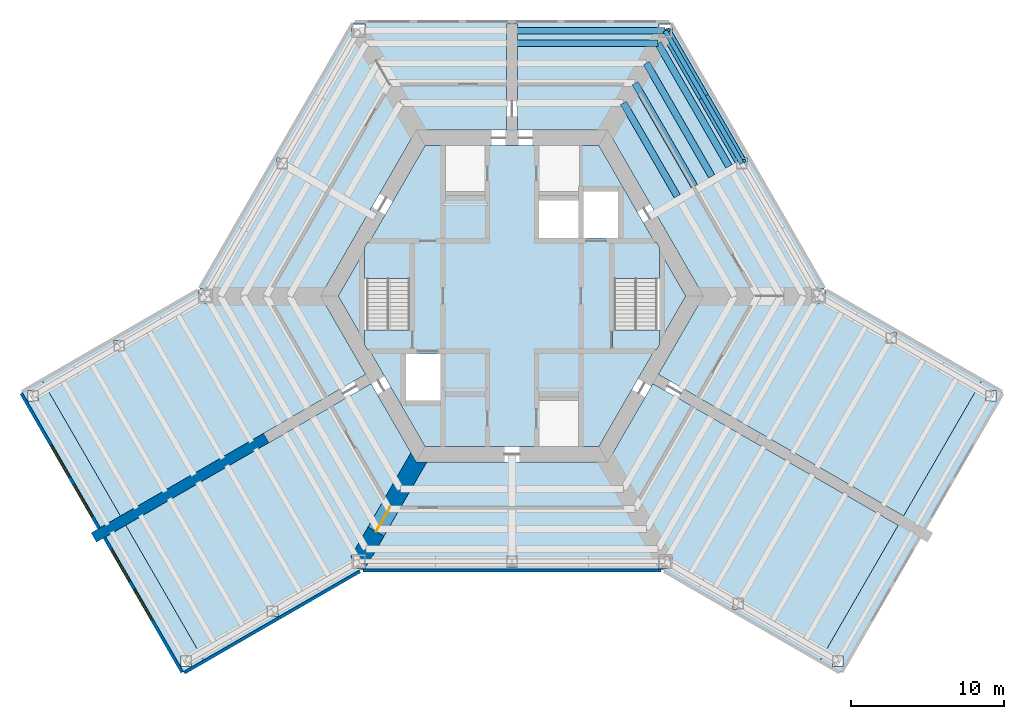
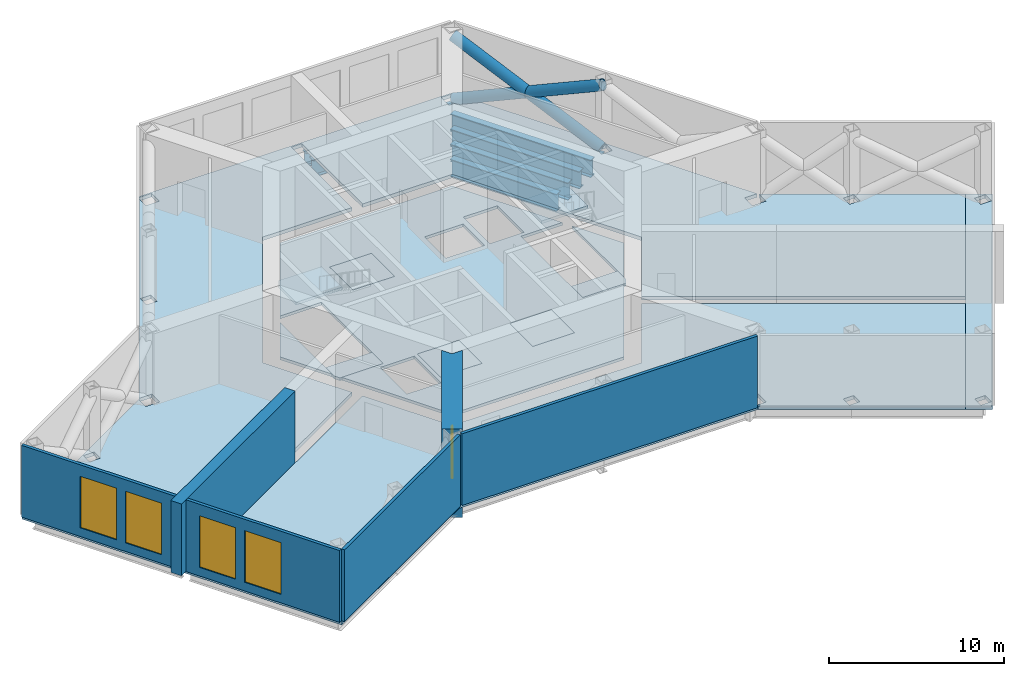
# One storey, part 3 of 8: 14 slabs, 7 beams, 6 walls, 4 windows, 2 members, 1 door, 5 openings, 2 elements without a shape of their own.
"""IFC4 building model written with IfcOpenShell, lengths in metres."""

from ifc_helpers import new_model, si_unit, direction, frame, frame_2d, origin, origin_2d, place, context, subcontext, project, spatial, polyline, rectangle, hollow_circle, i_section, outline, extrude, material, layer, layer_set, material_profile, profile_set, type_object, element, fill, aggregate, save


model = new_model("IFC4")

# Units and contexts
model_context = context("Model", 3, precision=1e-05, world=origin(), true_north=direction((0.0, 1.0)))
body_context = subcontext(model_context, "Body", "Model", "MODEL_VIEW")
ifc_project = project(units=[si_unit("LENGTHUNIT", "METRE"), si_unit("AREAUNIT", "SQUARE_METRE"), si_unit("VOLUMEUNIT", "CUBIC_METRE"), si_unit("PLANEANGLEUNIT", "RADIAN"), si_unit("MASSUNIT", "GRAM", prefix="KILO")], contexts=[model_context])

# Site, building, storey
site_placement = place(None, origin())
site = spatial("IfcSite", under=ifc_project, at=site_placement, CompositionType="ELEMENT")
building_placement = place(site_placement, origin())
building = spatial("IfcBuilding", under=site, at=building_placement, Name="Kasaneha Research Tower", CompositionType="ELEMENT")
storey_placement = place(building_placement, frame((0.0, 0.0, 203.300048828125)))
storey = spatial("IfcBuildingStorey", under=building, at=storey_placement, Name="L51", CompositionType="ELEMENT", Elevation=203.300048828125)

# Beams
ifc_material_1 = material(Name="Steel SN490B", Category="steel")
ifc_material_profile_1 = material_profile(ifc_material_1, i_section(OverallWidth=0.449951171875, OverallDepth=1.199951171875, WebThickness=0.02197265625, FlangeThickness=0.0400390625, at=origin_2d()), Name="BH-1200x450x22x40")
ifc_profile_set_1 = profile_set([ifc_material_profile_1], Name="Steel SN490B")
beam_type_1 = type_object("IfcBeamType", Name="B1-5 secondary beam BH-1200x450x22x40", PredefinedType="JOIST", material=ifc_profile_set_1)
beam_1_placement = place(storey_placement, frame((7.274658203125, 12.60009765625, -0.85009765625), z_axis=(0.499989208252, -0.866031634313, 0.0), x_axis=(0.866031634313, 0.499989208252, 0.0)))
element("IfcBeam", 1, at=beam_1_placement, inside=storey, type_object=beam_type_1, Name="Secondary beam RS030R1 L51", PredefinedType="JOIST", context=body_context, shape_type="SweptSolid", body=[
    extrude(i_section(OverallWidth=0.449951171875, OverallDepth=1.199951171875, WebThickness=0.02197265625, FlangeThickness=0.0400390625, at=origin_2d()), origin(), (0.0, 0.0, 1.0), 7.024658203125),
])
beam_2_placement = place(storey_placement, frame((8.025146484375, 13.89990234375, -0.85009765625), z_axis=(0.500016004, -0.866016163673, 0.0), x_axis=(0.866016163673, 0.500016004, 0.0)))
element("IfcBeam", 2, at=beam_2_placement, inside=storey, type_object=beam_type_1, Name="Secondary beam RS030R2 L51", PredefinedType="JOIST", context=body_context, shape_type="SweptSolid", body=[
    extrude(i_section(OverallWidth=0.449951171875, OverallDepth=1.199951171875, WebThickness=0.02197265625, FlangeThickness=0.0400390625, at=origin_2d()), origin(), (0.0, 0.0, 1.0), 7.775146484375),
])
beam_3_placement = place(storey_placement, frame((8.775634765625, 15.199951171875, -0.85009765625), z_axis=(0.500004205306, -0.866022975836, 0.0), x_axis=(0.866022975836, 0.500004205306, 0.0)))
element("IfcBeam", 3, at=beam_3_placement, inside=storey, type_object=beam_type_1, Name="Secondary beam RS030R3 L51", PredefinedType="JOIST", context=body_context, shape_type="SweptSolid", body=[
    extrude(i_section(OverallWidth=0.449951171875, OverallDepth=1.199951171875, WebThickness=0.02197265625, FlangeThickness=0.0400390625, at=origin_2d()), origin(), (0.0, 0.0, 1.0), 8.52587890625),
])
beam_4_placement = place(storey_placement, frame((9.5263671875, 16.5, -0.85009765625), z_axis=(0.499985972961, -0.866033502147, 0.0), x_axis=(0.866033502147, 0.499985972961, 0.0)))
element("IfcBeam", 4, at=beam_4_placement, inside=storey, type_object=beam_type_1, Name="Secondary beam RS030R4 L51", PredefinedType="JOIST", context=body_context, shape_type="SweptSolid", body=[
    extrude(i_section(OverallWidth=0.449951171875, OverallDepth=1.199951171875, WebThickness=0.02197265625, FlangeThickness=0.0400390625, at=origin_2d()), origin(), (0.0, 0.0, 1.0), 9.276123046875),
])
beam_5_placement = place(storey_placement, frame((9.5263671875, 16.5, -0.85009765625), z_axis=(-1.0, 0.0, 0.0), x_axis=(0.0, -1.0, 0.0)))
element("IfcBeam", 5, at=beam_5_placement, inside=storey, type_object=beam_type_1, Name="Secondary beam RS090L4 L51", PredefinedType="JOIST", context=body_context, shape_type="SweptSolid", body=[
    extrude(i_section(OverallWidth=0.449951171875, OverallDepth=1.199951171875, WebThickness=0.02197265625, FlangeThickness=0.0400390625, at=origin_2d()), origin(), (0.0, 0.0, 1.0), 9.2763671875),
])

# Members
ifc_material_2 = material(Name="Steel STKN490B", Category="steel")
ifc_material_profile_2 = material_profile(ifc_material_2, hollow_circle(Radius=0.355712890625, WallThickness=0.031982421875, at=origin_2d()), Name="CHS-711.2x32.0")
ifc_profile_set_2 = profile_set([ifc_material_profile_2], Name="Steel STKN490B")
member_type = type_object("IfcMemberType", Name="BT3 belt truss diagonal CHS-711.2x32.0", PredefinedType="BRACE", material=ifc_profile_set_2)
for number, where, z_axis, x_axis, name in (
    (6, (10.067138671875, 17.204345703125, 0.067138671875), (0.456047152237, -0.789897462228, 0.409979260576), (0.866025574794, 0.499999703803, 0.0), "Belt truss diagonal 5a L51"),
    (7, (14.932861328125, 8.7763671875, 0.067138671875), (-0.456047152237, 0.789897462228, 0.409979260576), (-0.866025574794, -0.499999703803, 0.0), "Belt truss diagonal 5b L51"),
):
    element("IfcMember", number, at=place(storey_placement, frame(where, z_axis=z_axis, x_axis=x_axis)), inside=storey, type_object=member_type, Name=name, PredefinedType="BRACE", context=body_context, shape_type="SweptSolid", body=[
        extrude(hollow_circle(Radius=0.355712890625, WallThickness=0.031982421875, at=origin_2d()), origin(), (0.0, 0.0, 1.0), 10.7529296875),
    ])

# Beams
ifc_material_3 = material(Name="Steel SN490B", Category="steel")
ifc_material_profile_3 = material_profile(ifc_material_3, i_section(OverallWidth=0.39990234375, OverallDepth=1.0, WebThickness=0.01904296875, FlangeThickness=0.035888671875, at=origin_2d()), Name="BH-1000x400x19x36")
ifc_profile_set_3 = profile_set([ifc_material_profile_3], Name="Steel SN490B")
beam_type_2 = type_object("IfcBeamType", Name="G3-5 plate edge girder BH-1000x400x19x36", PredefinedType="BEAM", material=ifc_profile_set_3)
beam_6_placement = place(storey_placement, frame((10.0, 17.320556640625, -0.75), z_axis=(-1.0, 0.0, 0.0), x_axis=(0.0, -1.0, 0.0)))
element("IfcBeam", 8, at=beam_6_placement, inside=storey, type_object=beam_type_2, Name="Plate edge girder PEAP L51", PredefinedType="BEAM", context=body_context, shape_type="SweptSolid", body=[
    extrude(i_section(OverallWidth=0.39990234375, OverallDepth=1.0, WebThickness=0.01904296875, FlangeThickness=0.035888671875, at=origin_2d()), origin(), (0.0, 0.0, 1.0), 9.75),
])
ifc_material_4 = material(Name="Steel SN490B", Category="steel")
ifc_material_profile_4 = material_profile(ifc_material_4, i_section(OverallWidth=0.300048828125, OverallDepth=0.800048828125, WebThickness=0.013916015625, FlangeThickness=0.02587890625, FilletRadius=0.01806640625, at=origin_2d()), Name="H-800x300x14x26")
ifc_profile_set_4 = profile_set([ifc_material_profile_4], Name="Steel SN490B")
beam_type_3 = type_object("IfcBeamType", Name="SB1-5 spandrel beam H-800x300x14x26", PredefinedType="SPANDREL", material=ifc_profile_set_4)
beam_7_placement = place(storey_placement, frame((10.0, 17.320556640625, -0.650146484375), z_axis=(0.499993662806, -0.866029062534, 0.0), x_axis=(0.866029062534, 0.499993662806, 0.0)))
element("IfcBeam", 9, at=beam_7_placement, inside=storey, type_object=beam_type_3, Name="Spandrel beam SR030R L51", PredefinedType="SPANDREL", context=body_context, shape_type="SweptSolid", body=[
    extrude(i_section(OverallWidth=0.300048828125, OverallDepth=0.800048828125, WebThickness=0.013916015625, FlangeThickness=0.02587890625, FilletRadius=0.01806640625, at=origin_2d()), origin(), (0.0, 0.0, 1.0), 10.000244140625),
])

# Slabs
ifc_material_5 = material(Name="Concrete Fc24", Category="concrete")
ifc_layer_1 = layer(ifc_material_5, 0.199951171875)
ifc_layer_set_1 = layer_set([ifc_layer_1], Name="Core floor slab 200")
slab_type_1 = type_object("IfcSlabType", Name="Core floor slab 200", PredefinedType="FLOOR", material=ifc_layer_set_1)
slab_1_placement = place(storey_placement, frame((0.0, 0.0, -0.199951171875)))
element("IfcSlab", 10, at=slab_1_placement, inside=storey, type_object=slab_type_1, Name="Core slab L51", PredefinedType="FLOOR", context=body_context, shape_type="SweptSolid", body=[
    extrude(outline(polyline([(-11.344970703125, 0.0), (-9.625, 2.97900390625), (-9.625, -2.97900390625), (-11.344970703125, 0.0)])), origin(), (0.0, 0.0, 1.0), 0.199951171875),
])
slab_2_placement = place(storey_placement, frame((0.0, 0.0, -0.199951171875)))
element("IfcSlab", 11, at=slab_2_placement, inside=storey, type_object=slab_type_1, Name="Core slab L51", PredefinedType="FLOOR", context=body_context, shape_type="SweptSolid", body=[
    extrude(outline(polyline([(-5.67236328125, 9.824951171875), (5.67236328125, 9.824951171875), (9.309814453125, 3.52490234375), (6.574951171875, 3.52490234375), (6.574951171875, -3.52490234375), (9.309814453125, -3.52490234375), (5.67236328125, -9.824951171875), (-5.67236328125, -9.824951171875), (-9.309814453125, -3.52490234375), (-6.574951171875, -3.52490234375), (-6.574951171875, 3.52490234375), (-9.309814453125, 3.52490234375), (-5.67236328125, 9.824951171875)]), holes=[polyline([(-6.925048828125, -3.77490234375), (-6.925048828125, -6.824951171875), (-4.675048828125, -6.824951171875), (-4.675048828125, -3.77490234375), (-6.925048828125, -3.77490234375)]), polyline([(-4.425048828125, -3.675048828125), (-4.425048828125, -6.324951171875), (-1.675048828125, -6.324951171875), (-1.675048828125, -3.675048828125), (-4.425048828125, -3.675048828125)]), polyline([(1.675048828125, -3.675048828125), (1.675048828125, -6.324951171875), (4.425048828125, -6.324951171875), (4.425048828125, -3.675048828125), (1.675048828125, -3.675048828125)]), polyline([(-4.425048828125, 6.324951171875), (-4.425048828125, 3.675048828125), (-1.675048828125, 3.675048828125), (-1.675048828125, 6.324951171875), (-4.425048828125, 6.324951171875)]), polyline([(1.77490234375, 6.22509765625), (1.77490234375, 3.77490234375), (4.324951171875, 3.77490234375), (4.324951171875, 6.22509765625), (1.77490234375, 6.22509765625)]), polyline([(4.675048828125, 6.824951171875), (4.675048828125, 3.77490234375), (6.925048828125, 3.77490234375), (6.925048828125, 6.824951171875), (4.675048828125, 6.824951171875)])]), origin(), (0.0, 0.0, 1.0), 0.199951171875),
])
slab_3_placement = place(storey_placement, frame((0.0, 0.0, -0.199951171875)))
element("IfcSlab", 12, at=slab_3_placement, inside=storey, type_object=slab_type_1, Name="Core slab L51", PredefinedType="FLOOR", context=body_context, shape_type="SweptSolid", body=[
    extrude(outline(polyline([(11.344970703125, 0.0), (9.625, -2.97900390625), (9.625, 2.97900390625), (11.344970703125, 0.0)])), origin(), (0.0, 0.0, 1.0), 0.199951171875),
])
ifc_material_6 = material(Name="Concrete Fc24", Category="concrete")
ifc_layer_2 = layer(ifc_material_6, 0.25)
ifc_layer_set_2 = layer_set([ifc_layer_2], Name="Floor slab 250")
slab_type_2 = type_object("IfcSlabType", Name="Floor slab 250", PredefinedType="FLOOR", material=ifc_layer_set_2)
slab_4_placement = place(storey_placement, frame((0.0, 0.0, -0.25)))
element("IfcSlab", 13, at=slab_4_placement, inside=storey, type_object=slab_type_2, Name="Floor slab L51 1", PredefinedType="FLOOR", context=body_context, shape_type="SweptSolid", body=[
    extrude(outline(polyline([(-25.55859375, -14.35205078125), (-25.5673828125, -14.357177734375), (-25.21728515625, -14.96337890625), (-25.208740234375, -14.958251953125), (-20.108642578125, -23.791748046875), (-21.459716796875, -24.57177734375), (-32.009521484375, -6.298583984375), (-30.65869140625, -5.518798828125), (-25.55859375, -14.35205078125)]), holes=[polyline([(-21.6083984375, -24.17041015625), (-20.908447265625, -24.17041015625), (-20.908447265625, -23.470458984375), (-21.6083984375, -23.470458984375), (-21.6083984375, -24.17041015625)]), polyline([(-31.6083984375, -6.85009765625), (-30.908447265625, -6.85009765625), (-30.908447265625, -6.14990234375), (-31.6083984375, -6.14990234375), (-31.6083984375, -6.85009765625)])]), origin(), (0.0, 0.0, 1.0), 0.25),
])
slab_5_placement = place(storey_placement, frame((0.0, 0.0, -0.25)))
element("IfcSlab", 14, at=slab_5_placement, inside=storey, type_object=slab_type_2, Name="Floor slab L51 2", PredefinedType="FLOOR", context=body_context, shape_type="SweptSolid", body=[
    extrude(outline(polyline([(9.8525390625, -17.87060546875), (-9.8525390625, -17.87060546875), (-20.108642578125, -23.791748046875), (-25.208740234375, -14.958251953125), (-9.19970703125, -5.715576171875), (-6.249755859375, -10.824951171875), (6.249755859375, -10.824951171875), (9.19970703125, -5.715576171875), (25.208740234375, -14.958251953125), (20.108642578125, -23.791748046875), (9.8525390625, -17.87060546875)]), holes=[polyline([(-15.979248046875, -20.92041015625), (-15.279052734375, -20.92041015625), (-15.279052734375, -20.220458984375), (-15.979248046875, -20.220458984375), (-15.979248046875, -20.92041015625)]), polyline([(-0.35009765625, -17.67041015625), (0.35009765625, -17.67041015625), (0.35009765625, -16.970458984375), (-0.35009765625, -16.970458984375), (-0.35009765625, -17.67041015625)]), polyline([(-10.449951171875, -16.87060546875), (-10.449951171875, -17.7705078125), (-9.550048828125, -17.7705078125), (-9.550048828125, -16.87060546875), (-10.449951171875, -16.87060546875)]), polyline([(14.4130859375, -20.42041015625), (15.113037109375, -20.42041015625), (15.113037109375, -19.720458984375), (14.4130859375, -19.720458984375), (14.4130859375, -20.42041015625)]), polyline([(9.550048828125, -16.87060546875), (9.550048828125, -17.7705078125), (10.449951171875, -17.7705078125), (10.449951171875, -16.87060546875), (9.550048828125, -16.87060546875)])]), origin(), (0.0, 0.0, 1.0), 0.25),
])
slab_6_placement = place(storey_placement, frame((0.0, 0.0, -0.25)))
element("IfcSlab", 15, at=slab_6_placement, inside=storey, type_object=slab_type_2, Name="Floor slab L51 3", PredefinedType="FLOOR", context=body_context, shape_type="SweptSolid", body=[
    extrude(outline(polyline([(-20.449951171875, -0.449951171875), (-19.550048828125, -0.449951171875), (-19.550048828125, 0.449951171875), (-20.375244140625, 0.449951171875), (-10.449951171875, 17.64111328125), (-10.449951171875, 16.87060546875), (-9.550048828125, 16.87060546875), (-9.550048828125, 17.7705078125), (-10.375244140625, 17.7705078125), (-10.317626953125, 17.87060546875), (10.317626953125, 17.87060546875), (10.375244140625, 17.7705078125), (9.550048828125, 17.7705078125), (9.550048828125, 16.87060546875), (10.449951171875, 16.87060546875), (10.449951171875, 17.64111328125), (20.375244140625, 0.449951171875), (19.550048828125, 0.449951171875), (19.550048828125, -0.449951171875), (20.449951171875, -0.449951171875), (20.449951171875, 0.375244140625), (30.65869140625, -5.518798828125), (25.55859375, -14.35205078125), (9.5498046875, -5.109375), (12.49951171875, 0.0), (6.249755859375, 10.824951171875), (0.35009765625, 10.824951171875), (0.35009765625, 17.7705078125), (-0.35009765625, 17.7705078125), (-0.35009765625, 10.824951171875), (-6.249755859375, 10.824951171875), (-12.49951171875, 0.0), (-9.5498046875, -5.109375), (-25.55859375, -14.35205078125), (-30.65869140625, -5.518798828125), (-20.449951171875, 0.375244140625), (-20.449951171875, -0.449951171875)]), holes=[polyline([(-25.979248046875, -3.60009765625), (-25.279052734375, -3.60009765625), (-25.279052734375, -2.89990234375), (-25.979248046875, -2.89990234375), (-25.979248046875, -3.60009765625)]), polyline([(-15.35009765625, 9.01025390625), (-15.35009765625, 8.310302734375), (-14.64990234375, 8.310302734375), (-14.64990234375, 9.01025390625), (-15.35009765625, 9.01025390625)]), polyline([(24.4130859375, -2.39990234375), (24.4130859375, -3.10009765625), (25.113037109375, -3.10009765625), (25.113037109375, -2.39990234375), (24.4130859375, -2.39990234375)]), polyline([(14.64990234375, 9.01025390625), (14.64990234375, 8.310302734375), (15.35009765625, 8.310302734375), (15.35009765625, 9.01025390625), (14.64990234375, 9.01025390625)])]), origin(), (0.0, 0.0, 1.0), 0.25),
])
slab_7_placement = place(storey_placement, frame((0.0, 0.0, -0.25)))
element("IfcSlab", 16, at=slab_7_placement, inside=storey, type_object=slab_type_2, Name="Floor slab L51 4", PredefinedType="FLOOR", context=body_context, shape_type="SweptSolid", body=[
    extrude(outline(polyline([(32.009521484375, -6.298583984375), (21.459716796875, -24.57177734375), (20.108642578125, -23.791748046875), (25.208740234375, -14.958251953125), (25.21728515625, -14.96337890625), (25.5673828125, -14.357177734375), (25.55859375, -14.35205078125), (30.65869140625, -5.518798828125), (32.009521484375, -6.298583984375)]), holes=[polyline([(20.908447265625, -24.17041015625), (21.6083984375, -24.17041015625), (21.6083984375, -23.470458984375), (20.908447265625, -23.470458984375), (20.908447265625, -24.17041015625)]), polyline([(30.908447265625, -6.85009765625), (31.6083984375, -6.85009765625), (31.6083984375, -6.14990234375), (30.908447265625, -6.14990234375), (30.908447265625, -6.85009765625)])]), origin(), (0.0, 0.0, 1.0), 0.25),
])
ifc_material_7 = material(Name="Concrete Fc24", Category="concrete")
ifc_layer_3 = layer(ifc_material_7, 0.300048828125)
ifc_layer_set_3 = layer_set([ifc_layer_3], Name="Lift pit slab 300")
slab_type_3 = type_object("IfcSlabType", Name="Lift pit slab 300", PredefinedType="USERDEFINED", material=ifc_layer_set_3)
slab_8_placement = place(storey_placement, frame((0.0, 0.0, -0.300048828125)))
element("IfcSlab", 17, at=slab_8_placement, inside=storey, type_object=slab_type_3, Name="Lift pit slab LH3", ObjectType="LIFT PIT SLAB", PredefinedType="USERDEFINED", context=body_context, shape_type="SweptSolid", body=[
    extrude(outline(polyline([(4.425048828125, -6.324951171875), (1.675048828125, -6.324951171875), (1.675048828125, -3.675048828125), (4.425048828125, -3.675048828125), (4.425048828125, -6.324951171875)])), origin(), (0.0, 0.0, 1.0), 0.300048828125),
])
slab_9_placement = place(storey_placement, frame((0.0, 0.0, -0.300048828125)))
element("IfcSlab", 18, at=slab_9_placement, inside=storey, type_object=slab_type_3, Name="Lift pit slab LH2", ObjectType="LIFT PIT SLAB", PredefinedType="USERDEFINED", context=body_context, shape_type="SweptSolid", body=[
    extrude(outline(polyline([(-1.675048828125, 3.675048828125), (-4.425048828125, 3.675048828125), (-4.425048828125, 6.324951171875), (-1.675048828125, 6.324951171875), (-1.675048828125, 3.675048828125)])), origin(), (0.0, 0.0, 1.0), 0.300048828125),
])
slab_10_placement = place(storey_placement, frame((0.0, 0.0, -0.300048828125)))
element("IfcSlab", 19, at=slab_10_placement, inside=storey, type_object=slab_type_3, Name="Lift pit slab LH1", ObjectType="LIFT PIT SLAB", PredefinedType="USERDEFINED", context=body_context, shape_type="SweptSolid", body=[
    extrude(outline(polyline([(-1.675048828125, -6.324951171875), (-4.425048828125, -6.324951171875), (-4.425048828125, -3.675048828125), (-1.675048828125, -3.675048828125), (-1.675048828125, -6.324951171875)])), origin(), (0.0, 0.0, 1.0), 0.300048828125),
])

# Stair, slabs
ifc_material_8 = material(Name="Concrete Fc24", Category="concrete")
stair_type = type_object("IfcStairType", Name="Half-turn stair 28 risers", PredefinedType="HALF_TURN_STAIR", material=ifc_material_8)
stair_1_placement = place(storey_placement, origin())
stair_1 = element("IfcStair", 20, at=stair_1_placement, inside=storey, type_object=stair_type, Name="Stair 1 L51", PredefinedType="HALF_TURN_STAIR")
ifc_material_9 = material(Name="Concrete Fc24", Category="concrete")
ifc_layer_4 = layer(ifc_material_9, 0.199951171875)
ifc_layer_set_4 = layer_set([ifc_layer_4], Name="Stair 1 landing 200")
slab_type_4 = type_object("IfcSlabType", Name="Stair 1 landing 200", PredefinedType="LANDING", material=ifc_layer_set_4)
slab_11_placement = place(storey_placement, frame((0.0, 0.0, -0.199951171875)))
slab_11 = element("IfcSlab", 21, at=slab_11_placement, type_object=slab_type_4, Name="ST1-28R landing 1", PredefinedType="LANDING", context=body_context, shape_type="SweptSolid", body=[
    extrude(outline(polyline([(9.42529296875, -3.52490234375), (6.574951171875, -3.52490234375), (6.574951171875, -2.22509765625), (9.625, -2.22509765625), (9.625, -3.178955078125), (9.42529296875, -3.52490234375)])), origin(), (0.0, 0.0, 1.0), 0.199951171875),
])
slab_12_placement = place(storey_placement, frame((0.0, 0.0, 2.300048828125)))
slab_12 = element("IfcSlab", 22, at=slab_12_placement, type_object=slab_type_4, Name="ST1-28R landing 2", PredefinedType="LANDING", context=body_context, shape_type="SweptSolid", body=[
    extrude(outline(polyline([(6.574951171875, 3.52490234375), (9.42529296875, 3.52490234375), (9.625, 3.178955078125), (9.625, 1.155029296875), (6.574951171875, 1.155029296875), (6.574951171875, 3.52490234375)])), origin(), (0.0, 0.0, 1.0), 0.199951171875),
])
aggregate(stair_1, [slab_11, slab_12])

stair_2_placement = place(storey_placement, origin())
stair_2 = element("IfcStair", 23, at=stair_2_placement, inside=storey, type_object=stair_type, Name="Stair 2 L51", PredefinedType="HALF_TURN_STAIR")
ifc_material_10 = material(Name="Concrete Fc24", Category="concrete")
ifc_layer_5 = layer(ifc_material_10, 0.199951171875)
ifc_layer_set_5 = layer_set([ifc_layer_5], Name="Stair 2 landing 200")
slab_type_5 = type_object("IfcSlabType", Name="Stair 2 landing 200", PredefinedType="LANDING", material=ifc_layer_set_5)
slab_13_placement = place(storey_placement, frame((0.0, 0.0, -0.199951171875)))
slab_13 = element("IfcSlab", 24, at=slab_13_placement, type_object=slab_type_5, Name="ST2-28R landing 1", PredefinedType="LANDING", context=body_context, shape_type="SweptSolid", body=[
    extrude(outline(polyline([(-6.574951171875, -3.52490234375), (-9.42529296875, -3.52490234375), (-9.625, -3.178955078125), (-9.625, -2.22509765625), (-6.574951171875, -2.22509765625), (-6.574951171875, -3.52490234375)])), origin(), (0.0, 0.0, 1.0), 0.199951171875),
])
slab_14_placement = place(storey_placement, frame((0.0, 0.0, 2.300048828125)))
slab_14 = element("IfcSlab", 25, at=slab_14_placement, type_object=slab_type_5, Name="ST2-28R landing 2", PredefinedType="LANDING", context=body_context, shape_type="SweptSolid", body=[
    extrude(outline(polyline([(-6.574951171875, 1.155029296875), (-9.625, 1.155029296875), (-9.625, 3.178955078125), (-9.42529296875, 3.52490234375), (-6.574951171875, 3.52490234375), (-6.574951171875, 1.155029296875)])), origin(), (0.0, 0.0, 1.0), 0.199951171875),
])
aggregate(stair_2, [slab_13, slab_14])

# Wall
ifc_material_11 = material(Name="Terracotta cladding on steel frame", Category="masonry")
ifc_layer_6 = layer(ifc_material_11, 0.199951171875)
ifc_layer_set_6 = layer_set([ifc_layer_6], Name="Louvred plant wall 200")
wall_type_1 = type_object("IfcWallType", Name="Louvred plant wall 200", PredefinedType="ELEMENTEDWALL", material=ifc_layer_set_6)
wall_1_placement = place(storey_placement, frame((-9.7392578125, -17.92041015625, 0.0), z_axis=(0.0, 0.0, 1.0), x_axis=(1.0, 0.0, 0.0)))
element("IfcWall", 26, at=wall_1_placement, inside=storey, type_object=wall_type_1, Name="Louvred plant wall L51", PredefinedType="ELEMENTEDWALL", context=body_context, shape_type="SweptSolid", body=[
    extrude(rectangle(XDim=19.478515625, YDim=0.199951171875, at=frame_2d((9.7392578125, 0.0))), origin(), (0.0, 0.0, 1.0), 5.0),
])

# Wall, openings, windows
wall_2_placement = place(storey_placement, frame((-32.02783203125, -6.366943359375, 0.0), z_axis=(0.0, 0.0, 1.0), x_axis=(0.499991044257, -0.866030574324, 0.0)))
wall_2 = element("IfcWall", 27, at=wall_2_placement, inside=storey, type_object=wall_type_1, Name="Louvred plant wall L51", PredefinedType="ELEMENTEDWALL", context=body_context, shape_type="SweptSolid", body=[
    extrude(rectangle(XDim=10.150146484375, YDim=0.199951171875, at=frame_2d((5.0751953125, 0.0))), origin(), (0.0, 0.0, 1.0), 5.0),
])
opening_1_placement = place(wall_2_placement, frame((3.88330078125, 0.0, 0.60009765625)))
opening_1 = element("IfcOpeningElement", 28, at=opening_1_placement, cuts=wall_2, Name="Opening LV4", PredefinedType="OPENING", context=body_context, shape_type="SweptSolid", body=[
    extrude(rectangle(XDim=2.38330078125, YDim=3.60009765625, at=frame_2d((1.191650390625, 1.800048828125))), frame((0.0, 0.10986328125, 0.0), z_axis=(0.0, -1.0, 0.0), x_axis=(1.0, 0.0, 0.0)), (0.0, 0.0, 1.0), 0.219970703125),
])
opening_2_placement = place(wall_2_placement, frame((6.86669921875, 0.0, 0.60009765625)))
opening_2 = element("IfcOpeningElement", 29, at=opening_2_placement, cuts=wall_2, Name="Opening LV4", PredefinedType="OPENING", context=body_context, shape_type="SweptSolid", body=[
    extrude(rectangle(XDim=2.38330078125, YDim=3.60009765625, at=frame_2d((1.191650390625, 1.800048828125))), frame((0.0, 0.10986328125, 0.0), z_axis=(0.0, -1.0, 0.0), x_axis=(1.0, 0.0, 0.0)), (0.0, 0.0, 1.0), 0.219970703125),
])
ifc_material_12 = material(Name="Aluminium 6063-T6", Category="aluminium")
window_type = type_object("IfcWindowType", Name="Louvre 2383x3600", PartitioningType="SINGLE_PANEL", PredefinedType="USERDEFINED", material=ifc_material_12)
window_1_placement = place(opening_1_placement, origin())
window_1 = element("IfcWindow", 30, at=window_1_placement, inside=storey, type_object=window_type, Name="Plant louvre L51 2", ObjectType="LOUVRE", OverallHeight=3.60009765625, OverallWidth=2.38330078125, PartitioningType="SINGLE_PANEL", PredefinedType="USERDEFINED", context=body_context, shape_type="SweptSolid", body=[
    extrude(rectangle(XDim=2.38330078125, YDim=3.60009765625, at=frame_2d((1.191650390625, 1.800048828125))), frame((0.0, 0.030029296875, 0.0), z_axis=(0.0, -1.0, 0.0), x_axis=(1.0, 0.0, 0.0)), (0.0, 0.0, 1.0), 0.06005859375),
])
fill(opening_1, window_1)
window_2_placement = place(opening_2_placement, origin())
window_2 = element("IfcWindow", 31, at=window_2_placement, inside=storey, type_object=window_type, Name="Plant louvre L51 3", ObjectType="LOUVRE", OverallHeight=3.60009765625, OverallWidth=2.38330078125, PartitioningType="SINGLE_PANEL", PredefinedType="USERDEFINED", context=body_context, shape_type="SweptSolid", body=[
    extrude(rectangle(XDim=2.38330078125, YDim=3.60009765625, at=frame_2d((1.191650390625, 1.800048828125))), frame((0.0, 0.030029296875, 0.0), z_axis=(0.0, -1.0, 0.0), x_axis=(1.0, 0.0, 0.0)), (0.0, 0.0, 1.0), 0.06005859375),
])
fill(opening_2, window_2)

wall_3_placement = place(storey_placement, frame((-26.60302734375, -15.763427734375, 0.0), z_axis=(0.0, 0.0, 1.0), x_axis=(0.500019499409, -0.866014145503, 0.0)))
wall_3 = element("IfcWall", 32, at=wall_3_placement, inside=storey, type_object=wall_type_1, Name="Louvred plant wall L51", PredefinedType="ELEMENTEDWALL", context=body_context, shape_type="SweptSolid", body=[
    extrude(rectangle(XDim=10.14990234375, YDim=0.199951171875, at=frame_2d((5.074951171875, 0.0))), origin(), (0.0, 0.0, 1.0), 5.0),
])
opening_3_placement = place(wall_3_placement, frame((0.89990234375, 0.0, 0.60009765625)))
opening_3 = element("IfcOpeningElement", 33, at=opening_3_placement, cuts=wall_3, Name="Opening LV4", PredefinedType="OPENING", context=body_context, shape_type="SweptSolid", body=[
    extrude(rectangle(XDim=2.38330078125, YDim=3.60009765625, at=frame_2d((1.191650390625, 1.800048828125))), frame((0.0, 0.10986328125, 0.0), z_axis=(0.0, -1.0, 0.0), x_axis=(1.0, 0.0, 0.0)), (0.0, 0.0, 1.0), 0.219970703125),
])
opening_4_placement = place(wall_3_placement, frame((3.88330078125, 0.0, 0.60009765625)))
opening_4 = element("IfcOpeningElement", 34, at=opening_4_placement, cuts=wall_3, Name="Opening LV4", PredefinedType="OPENING", context=body_context, shape_type="SweptSolid", body=[
    extrude(rectangle(XDim=2.38330078125, YDim=3.60009765625, at=frame_2d((1.191650390625, 1.800048828125))), frame((0.0, 0.10986328125, 0.0), z_axis=(0.0, -1.0, 0.0), x_axis=(1.0, 0.0, 0.0)), (0.0, 0.0, 1.0), 0.219970703125),
])
window_3_placement = place(opening_3_placement, origin())
window_3 = element("IfcWindow", 35, at=window_3_placement, inside=storey, type_object=window_type, Name="Plant louvre L51 1", ObjectType="LOUVRE", OverallHeight=3.60009765625, OverallWidth=2.38330078125, PartitioningType="SINGLE_PANEL", PredefinedType="USERDEFINED", context=body_context, shape_type="SweptSolid", body=[
    extrude(rectangle(XDim=2.38330078125, YDim=3.60009765625, at=frame_2d((1.191650390625, 1.800048828125))), frame((0.0, 0.030029296875, 0.0), z_axis=(0.0, -1.0, 0.0), x_axis=(1.0, 0.0, 0.0)), (0.0, 0.0, 1.0), 0.06005859375),
])
fill(opening_3, window_3)
window_4_placement = place(opening_4_placement, origin())
window_4 = element("IfcWindow", 36, at=window_4_placement, inside=storey, type_object=window_type, Name="Plant louvre L51 2", ObjectType="LOUVRE", OverallHeight=3.60009765625, OverallWidth=2.38330078125, PartitioningType="SINGLE_PANEL", PredefinedType="USERDEFINED", context=body_context, shape_type="SweptSolid", body=[
    extrude(rectangle(XDim=2.38330078125, YDim=3.60009765625, at=frame_2d((1.191650390625, 1.800048828125))), frame((0.0, 0.030029296875, 0.0), z_axis=(0.0, -1.0, 0.0), x_axis=(1.0, 0.0, 0.0)), (0.0, 0.0, 1.0), 0.06005859375),
])
fill(opening_4, window_4)

# Wall
wall_4_placement = place(storey_placement, frame((-21.391357421875, -24.590087890625, 0.0), z_axis=(0.0, 0.0, 1.0), x_axis=(0.86602620781, 0.499998607384, 0.0)))
element("IfcWall", 37, at=wall_4_placement, inside=storey, type_object=wall_type_1, Name="Louvred plant wall L51", PredefinedType="ELEMENTEDWALL", context=body_context, shape_type="SweptSolid", body=[
    extrude(rectangle(XDim=13.2392578125, YDim=0.199951171875, at=frame_2d((6.61962890625, 0.0))), origin(), (0.0, 0.0, 1.0), 5.0),
])

# Wall, opening, door
ifc_material_13 = material(Name="Concrete Fc70", Category="concrete")
ifc_layer_7 = layer(ifc_material_13, 1.199951171875)
ifc_layer_set_7 = layer_set([ifc_layer_7], Name="Outrigger wall 1200 Fc70")
wall_type_2 = type_object("IfcWallType", Name="Outrigger wall 1200 Fc70", PredefinedType="SHEAR", material=ifc_layer_set_7)
wall_5_placement = place(storey_placement, frame((-6.249755859375, -10.824951171875, -1.150146484375), z_axis=(0.0, 0.0, 1.0), x_axis=(-0.50000045744, -0.866025139681, 0.0)))
wall_5 = element("IfcWall", 38, at=wall_5_placement, inside=storey, type_object=wall_type_2, Name="Outrigger wall 240 L51", PredefinedType="SHEAR", context=body_context, shape_type="SweptSolid", body=[
    extrude(outline(polyline([(-0.346435546875, -0.60009765625), (3.453125, -0.60009765625), (5.253173828125, -0.60009765625), (7.50048828125, -0.60009765625), (7.50048828125, 0.60009765625), (5.253173828125, 0.60009765625), (3.453125, 0.60009765625), (-0.346435546875, 0.60009765625), (0.0, 0.0), (-0.346435546875, -0.60009765625)])), origin(), (0.0, 0.0, 1.0), 6.150146484375),
])
opening_5_placement = place(wall_5_placement, frame((3.453125, 0.0, 1.14990234375)))
opening_5 = element("IfcOpeningElement", 39, at=opening_5_placement, cuts=wall_5, Name="Opening L51-D22", PredefinedType="OPENING", context=body_context, shape_type="SweptSolid", body=[
    extrude(rectangle(XDim=1.800048828125, YDim=2.39990234375, at=frame_2d((0.89990234375, 1.199951171875))), frame((0.0, 0.60986328125, 0.0), z_axis=(0.0, -1.0, 0.0), x_axis=(1.0, 0.0, 0.0)), (0.0, 0.0, 1.0), 1.219970703125),
])
ifc_material_14 = material(Name="Steel", Category="steel")
door_type = type_object("IfcDoorType", Name="Plant room double door FD60 1800x2400", OperationType="DOUBLE_DOOR_SINGLE_SWING", PredefinedType="DOOR", material=ifc_material_14)
door_placement = place(opening_5_placement, origin())
door = element("IfcDoor", 40, at=door_placement, inside=storey, type_object=door_type, Name="Plant room door L51-D22", OperationType="DOUBLE_DOOR_SINGLE_SWING", OverallHeight=2.39990234375, OverallWidth=1.800048828125, PredefinedType="DOOR", context=body_context, shape_type="SweptSolid", body=[
    extrude(rectangle(XDim=1.800048828125, YDim=2.39990234375, at=frame_2d((0.89990234375, 1.199951171875))), frame((0.0, 0.02490234375, 0.0), z_axis=(0.0, -1.0, 0.0), x_axis=(1.0, 0.0, 0.0)), (0.0, 0.0, 1.0), 0.050048828125),
])
fill(opening_5, door)

# Wall
ifc_material_15 = material(Name="Concrete Fc70", Category="concrete")
ifc_layer_8 = layer(ifc_material_15, 0.699951171875)
ifc_layer_set_8 = layer_set([ifc_layer_8], Name="Spine wall 700 Fc70")
wall_type_3 = type_object("IfcWallType", Name="Spine wall 700 Fc70", PredefinedType="SHEAR", material=ifc_layer_set_8)
wall_6_placement = place(storey_placement, frame((-16.039306640625, -9.26025390625, 0.0), z_axis=(0.0, 0.0, 1.0), x_axis=(-0.866024837091, -0.50000098154, 0.0)))
element("IfcWall", 41, at=wall_6_placement, inside=storey, type_object=wall_type_3, Name="Spine wall B wing L51", PredefinedType="SHEAR", context=body_context, shape_type="SweptSolid", body=[
    extrude(rectangle(XDim=13.0, YDim=0.699951171875, at=frame_2d((6.5, 0.0))), origin(), (0.0, 0.0, 1.0), 5.0),
])

save(model, "model.ifc")
